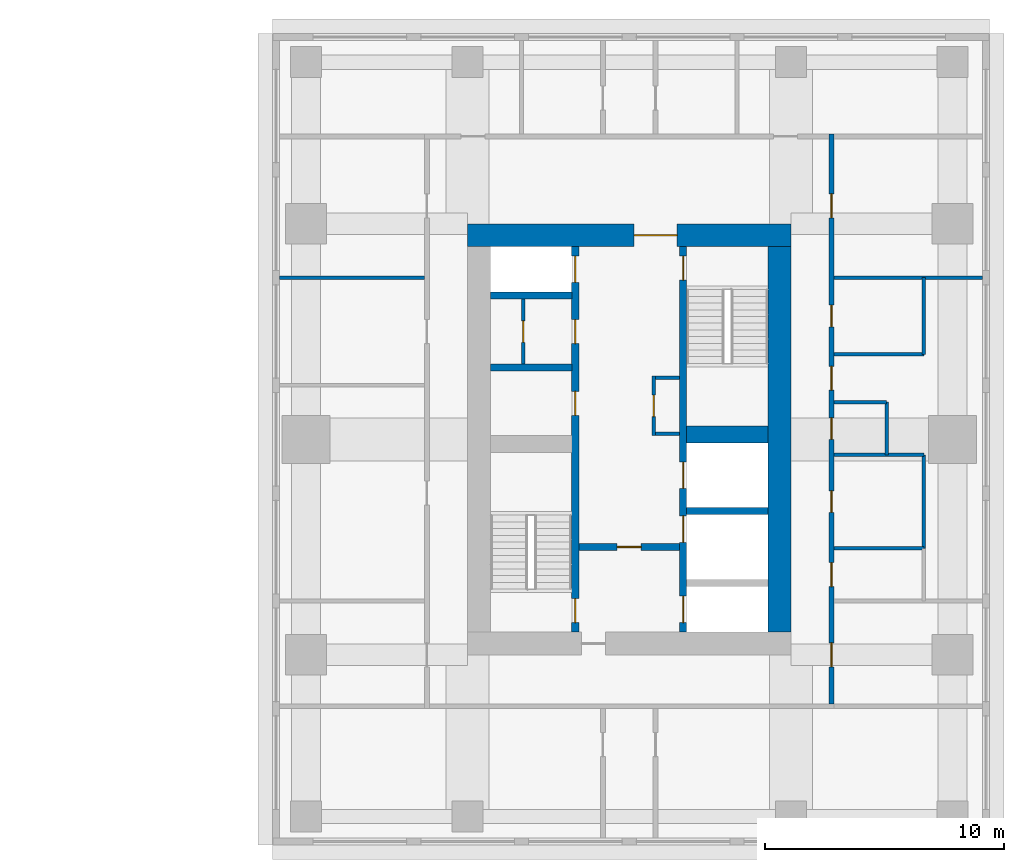
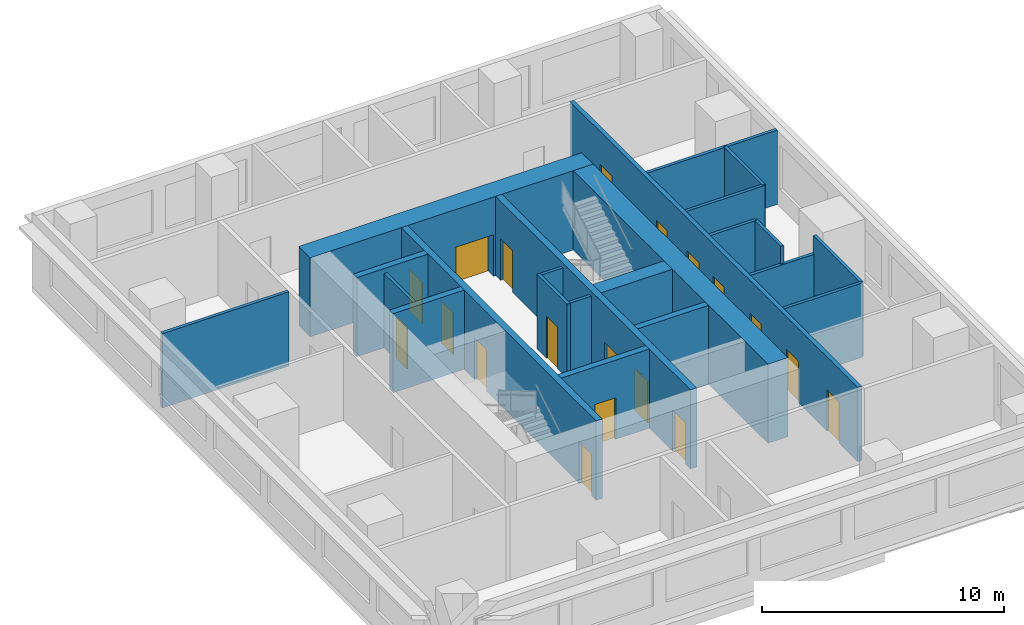
# One storey, part 7 of 11: 23 walls, 19 doors, 19 openings.
"""IFC4 building model written with IfcOpenShell, lengths in metres."""

from ifc_helpers import new_model, si_unit, direction, frame, frame_2d, origin, place, context, subcontext, project, spatial, rectangle, extrude, material, layer, layer_set, type_object, element, fill, save


model = new_model("IFC4")

# Units and contexts
model_context = context("Model", 3, precision=1e-05, world=origin(), true_north=direction((0.0, 1.0)))
body_context = subcontext(model_context, "Body", "Model", "MODEL_VIEW")
ifc_project = project(units=[si_unit("LENGTHUNIT", "METRE"), si_unit("AREAUNIT", "SQUARE_METRE"), si_unit("VOLUMEUNIT", "CUBIC_METRE"), si_unit("PLANEANGLEUNIT", "RADIAN"), si_unit("MASSUNIT", "GRAM", prefix="KILO")], contexts=[model_context])

# Site, building, storey
site_placement = place(None, origin())
site = spatial("IfcSite", under=ifc_project, at=site_placement, CompositionType="ELEMENT")
building_placement = place(site_placement, origin())
building = spatial("IfcBuilding", under=site, at=building_placement, Name="Namib Vertical Campus", CompositionType="ELEMENT")
storey_placement = place(building_placement, frame((0.0, 0.0, 221.0)))
storey = spatial("IfcBuildingStorey", under=building, at=storey_placement, Name="L52", CompositionType="ELEMENT", Elevation=221.0)

# Wall, openings, doors
ifc_material_1 = material(Name="Concrete C60/75", Category="concrete")
ifc_layer_1 = layer(ifc_material_1, 0.300048828125)
ifc_layer_set_1 = layer_set([ifc_layer_1], Name="Concrete C60/75")
wall_type_1 = type_object("IfcWallType", Name="Core inner wall 300", PredefinedType="SHEAR", material=ifc_layer_set_1)
wall_1_placement = place(storey_placement, frame((78.75, 12.199951171875, 0.0), z_axis=(0.0, 0.0, 1.0), x_axis=(0.0, 1.0, 0.0)))
wall_1 = element("IfcWall", 1, at=wall_1_placement, inside=storey, type_object=wall_type_1, Name="Core inner wall B L52 W1", PredefinedType="SHEAR", context=body_context, shape_type="SweptSolid", body=[
    extrude(rectangle(XDim=16.10009765625, YDim=0.300048828125, at=frame_2d((8.050048828125, 0.0))), origin(), (0.0, 0.0, 1.0), 4.0),
])
opening_1_placement = place(wall_1_placement, frame((0.39990234375, 0.0, 0.0)))
opening_1 = element("IfcOpeningElement", 2, at=opening_1_placement, cuts=wall_1, Name="Opening FD1", PredefinedType="OPENING", context=body_context, shape_type="SweptSolid", body=[
    extrude(rectangle(XDim=1.0, YDim=2.10009765625, at=frame_2d((0.5, 1.050048828125))), frame((0.0, 0.159912109375, 0.0), z_axis=(0.0, -1.0, 0.0), x_axis=(1.0, 0.0, 0.0)), (0.0, 0.0, 1.0), 0.320068359375),
])
opening_2_placement = place(wall_1_placement, frame((14.60009765625, 0.0, 0.0)))
opening_2 = element("IfcOpeningElement", 3, at=opening_2_placement, cuts=wall_1, Name="Opening LD1", PredefinedType="OPENING", context=body_context, shape_type="SweptSolid", body=[
    extrude(rectangle(XDim=1.10009765625, YDim=2.10009765625, at=frame_2d((0.550048828125, 1.050048828125))), frame((0.0, 0.159912109375, 0.0), z_axis=(0.0, -1.0, 0.0), x_axis=(1.0, 0.0, 0.0)), (0.0, 0.0, 1.0), 0.320068359375),
])
opening_3_placement = place(wall_1_placement, frame((9.050048828125, 0.0, 0.0)))
opening_3 = element("IfcOpeningElement", 4, at=opening_3_placement, cuts=wall_1, Name="Opening D1", PredefinedType="OPENING", context=body_context, shape_type="SweptSolid", body=[
    extrude(rectangle(XDim=1.0, YDim=2.10009765625, at=frame_2d((0.5, 1.050048828125))), frame((0.0, 0.159912109375, 0.0), z_axis=(0.0, -1.0, 0.0), x_axis=(1.0, 0.0, 0.0)), (0.0, 0.0, 1.0), 0.320068359375),
])
opening_4_placement = place(wall_1_placement, frame((12.050048828125, 0.0, 0.0)))
opening_4 = element("IfcOpeningElement", 5, at=opening_4_placement, cuts=wall_1, Name="Opening D1", PredefinedType="OPENING", context=body_context, shape_type="SweptSolid", body=[
    extrude(rectangle(XDim=1.0, YDim=2.10009765625, at=frame_2d((0.5, 1.050048828125))), frame((0.0, 0.159912109375, 0.0), z_axis=(0.0, -1.0, 0.0), x_axis=(1.0, 0.0, 0.0)), (0.0, 0.0, 1.0), 0.320068359375),
])
ifc_material_2 = material(Name="Timber door leaf", Category="wood")
door_type_1 = type_object("IfcDoorType", Name="Door single 1000x2100", OperationType="SINGLE_SWING_LEFT", PredefinedType="DOOR", material=ifc_material_2)
door_1_placement = place(opening_3_placement, origin())
door_1 = element("IfcDoor", 6, at=door_1_placement, inside=storey, type_object=door_type_1, Name="Door D1 Staff pantry B L52 P1", OperationType="SINGLE_SWING_LEFT", OverallHeight=2.10009765625, OverallWidth=1.0, PredefinedType="DOOR", context=body_context, shape_type="SweptSolid", body=[
    extrude(rectangle(XDim=1.0, YDim=2.10009765625, at=frame_2d((0.5, 1.050048828125))), frame((0.0, 0.02490234375, 0.0), z_axis=(0.0, -1.0, 0.0), x_axis=(1.0, 0.0, 0.0)), (0.0, 0.0, 1.0), 0.050048828125),
])
fill(opening_3, door_1)
door_2_placement = place(opening_4_placement, origin())
door_2 = element("IfcDoor", 7, at=door_2_placement, inside=storey, type_object=door_type_1, Name="Door D1 Records store B L52 P2", OperationType="SINGLE_SWING_LEFT", OverallHeight=2.10009765625, OverallWidth=1.0, PredefinedType="DOOR", context=body_context, shape_type="SweptSolid", body=[
    extrude(rectangle(XDim=1.0, YDim=2.10009765625, at=frame_2d((0.5, 1.050048828125))), frame((0.0, 0.02490234375, 0.0), z_axis=(0.0, -1.0, 0.0), x_axis=(1.0, 0.0, 0.0)), (0.0, 0.0, 1.0), 0.050048828125),
])
fill(opening_4, door_2)
ifc_material_3 = material(Name="Steel fire door", Category="steel")
door_type_2 = type_object("IfcDoorType", Name="Fire door 1000x2100", OperationType="SINGLE_SWING_RIGHT", PredefinedType="DOOR", material=ifc_material_3)
door_3_placement = place(opening_1_placement, origin())
door_3 = element("IfcDoor", 8, at=door_3_placement, inside=storey, type_object=door_type_2, Name="Stair door FD1 B L52 S1", OperationType="SINGLE_SWING_LEFT", OverallHeight=2.10009765625, OverallWidth=1.0, PredefinedType="DOOR", context=body_context, shape_type="SweptSolid", body=[
    extrude(rectangle(XDim=1.0, YDim=2.10009765625, at=frame_2d((0.5, 1.050048828125))), frame((0.0, 0.02490234375, 0.0), z_axis=(0.0, -1.0, 0.0), x_axis=(1.0, 0.0, 0.0)), (0.0, 0.0, 1.0), 0.050048828125),
])
fill(opening_1, door_3)
ifc_material_4 = material(Name="Stainless steel lift door", Category="steel")
door_type_3 = type_object("IfcDoorType", Name="Lift landing door 1100x2100", OperationType="DOUBLE_DOOR_SLIDING", PredefinedType="DOOR", material=ifc_material_4)
door_4_placement = place(opening_2_placement, origin())
door_4 = element("IfcDoor", 9, at=door_4_placement, inside=storey, type_object=door_type_3, Name="Lift landing door LD1 B-P3 L52", OperationType="DOUBLE_DOOR_SLIDING", OverallHeight=2.10009765625, OverallWidth=1.10009765625, PredefinedType="DOOR", context=body_context, shape_type="SweptSolid", body=[
    extrude(rectangle(XDim=1.10009765625, YDim=2.10009765625, at=frame_2d((0.550048828125, 1.050048828125))), frame((0.0, 0.02490234375, 0.0), z_axis=(0.0, -1.0, 0.0), x_axis=(1.0, 0.0, 0.0)), (0.0, 0.0, 1.0), 0.050048828125),
])
fill(opening_2, door_4)

wall_2_placement = place(storey_placement, frame((83.25, 12.199951171875, 0.0), z_axis=(0.0, 0.0, 1.0), x_axis=(0.0, 1.0, 0.0)))
wall_2 = element("IfcWall", 10, at=wall_2_placement, inside=storey, type_object=wall_type_1, Name="Core inner wall B L52 W2", PredefinedType="SHEAR", context=body_context, shape_type="SweptSolid", body=[
    extrude(rectangle(XDim=16.10009765625, YDim=0.300048828125, at=frame_2d((8.050048828125, 0.0))), origin(), (0.0, 0.0, 1.0), 4.0),
])
opening_5_placement = place(wall_2_placement, frame((14.699951171875, 0.0, 0.0)))
opening_5 = element("IfcOpeningElement", 11, at=opening_5_placement, cuts=wall_2, Name="Opening FD1", PredefinedType="OPENING", context=body_context, shape_type="SweptSolid", body=[
    extrude(rectangle(XDim=1.0, YDim=2.10009765625, at=frame_2d((0.5, 1.050048828125))), frame((0.0, 0.159912109375, 0.0), z_axis=(0.0, -1.0, 0.0), x_axis=(1.0, 0.0, 0.0)), (0.0, 0.0, 1.0), 0.320068359375),
])
opening_6_placement = place(wall_2_placement, frame((0.39990234375, 0.0, 0.0)))
opening_6 = element("IfcOpeningElement", 12, at=opening_6_placement, cuts=wall_2, Name="Opening LD1", PredefinedType="OPENING", context=body_context, shape_type="SweptSolid", body=[
    extrude(rectangle(XDim=1.10009765625, YDim=2.10009765625, at=frame_2d((0.550048828125, 1.050048828125))), frame((0.0, 0.159912109375, 0.0), z_axis=(0.0, -1.0, 0.0), x_axis=(1.0, 0.0, 0.0)), (0.0, 0.0, 1.0), 0.320068359375),
])
opening_7_placement = place(wall_2_placement, frame((3.75, 0.0, 0.0)))
opening_7 = element("IfcOpeningElement", 13, at=opening_7_placement, cuts=wall_2, Name="Opening LD1", PredefinedType="OPENING", context=body_context, shape_type="SweptSolid", body=[
    extrude(rectangle(XDim=1.10009765625, YDim=2.10009765625, at=frame_2d((0.550048828125, 1.050048828125))), frame((0.0, 0.159912109375, 0.0), z_axis=(0.0, -1.0, 0.0), x_axis=(1.0, 0.0, 0.0)), (0.0, 0.0, 1.0), 0.320068359375),
])
opening_8_placement = place(wall_2_placement, frame((6.0, 0.0, 0.0)))
opening_8 = element("IfcOpeningElement", 14, at=opening_8_placement, cuts=wall_2, Name="Opening LD1", PredefinedType="OPENING", context=body_context, shape_type="SweptSolid", body=[
    extrude(rectangle(XDim=1.10009765625, YDim=2.10009765625, at=frame_2d((0.550048828125, 1.050048828125))), frame((0.0, 0.159912109375, 0.0), z_axis=(0.0, -1.0, 0.0), x_axis=(1.0, 0.0, 0.0)), (0.0, 0.0, 1.0), 0.320068359375),
])
door_5_placement = place(opening_5_placement, frame((1.0, 0.0, 0.0), z_axis=(0.0, 0.0, 1.0), x_axis=(-1.0, 0.0, 0.0)))
door_5 = element("IfcDoor", 15, at=door_5_placement, inside=storey, type_object=door_type_2, Name="Stair door FD1 B L52 S2", OperationType="SINGLE_SWING_LEFT", OverallHeight=2.10009765625, OverallWidth=1.0, PredefinedType="DOOR", context=body_context, shape_type="SweptSolid", body=[
    extrude(rectangle(XDim=1.0, YDim=2.10009765625, at=frame_2d((0.5, 1.050048828125))), frame((0.0, 0.02490234375, 0.0), z_axis=(0.0, -1.0, 0.0), x_axis=(1.0, 0.0, 0.0)), (0.0, 0.0, 1.0), 0.050048828125),
])
fill(opening_5, door_5)
door_6_placement = place(opening_6_placement, origin())
door_6 = element("IfcDoor", 16, at=door_6_placement, inside=storey, type_object=door_type_3, Name="Lift landing door LD1 B-FL1 L52", OperationType="DOUBLE_DOOR_SLIDING", OverallHeight=2.10009765625, OverallWidth=1.10009765625, PredefinedType="DOOR", context=body_context, shape_type="SweptSolid", body=[
    extrude(rectangle(XDim=1.10009765625, YDim=2.10009765625, at=frame_2d((0.550048828125, 1.050048828125))), frame((0.0, 0.02490234375, 0.0), z_axis=(0.0, -1.0, 0.0), x_axis=(1.0, 0.0, 0.0)), (0.0, 0.0, 1.0), 0.050048828125),
])
fill(opening_6, door_6)
door_7_placement = place(opening_7_placement, origin())
door_7 = element("IfcDoor", 17, at=door_7_placement, inside=storey, type_object=door_type_3, Name="Lift landing door LD1 B-P4 L52", OperationType="DOUBLE_DOOR_SLIDING", OverallHeight=2.10009765625, OverallWidth=1.10009765625, PredefinedType="DOOR", context=body_context, shape_type="SweptSolid", body=[
    extrude(rectangle(XDim=1.10009765625, YDim=2.10009765625, at=frame_2d((0.550048828125, 1.050048828125))), frame((0.0, 0.02490234375, 0.0), z_axis=(0.0, -1.0, 0.0), x_axis=(1.0, 0.0, 0.0)), (0.0, 0.0, 1.0), 0.050048828125),
])
fill(opening_7, door_7)
door_8_placement = place(opening_8_placement, origin())
door_8 = element("IfcDoor", 18, at=door_8_placement, inside=storey, type_object=door_type_3, Name="Lift landing door LD1 B-P5 L52", OperationType="DOUBLE_DOOR_SLIDING", OverallHeight=2.10009765625, OverallWidth=1.10009765625, PredefinedType="DOOR", context=body_context, shape_type="SweptSolid", body=[
    extrude(rectangle(XDim=1.10009765625, YDim=2.10009765625, at=frame_2d((0.550048828125, 1.050048828125))), frame((0.0, 0.02490234375, 0.0), z_axis=(0.0, -1.0, 0.0), x_axis=(1.0, 0.0, 0.0)), (0.0, 0.0, 1.0), 0.050048828125),
])
fill(opening_8, door_8)

# Wall, opening, door
wall_3_placement = place(storey_placement, frame((78.89990234375, 15.75, 0.0), z_axis=(0.0, 0.0, 1.0), x_axis=(1.0, 0.0, 0.0)))
wall_3 = element("IfcWall", 19, at=wall_3_placement, inside=storey, type_object=wall_type_1, Name="Core inner wall B L52 W4", PredefinedType="SHEAR", context=body_context, shape_type="SweptSolid", body=[
    extrude(rectangle(XDim=4.2001953125, YDim=0.300048828125, at=frame_2d((2.10009765625, 0.0))), origin(), (0.0, 0.0, 1.0), 4.0),
])
opening_9_placement = place(wall_3_placement, frame((1.60009765625, 0.0, 0.0)))
opening_9 = element("IfcOpeningElement", 20, at=opening_9_placement, cuts=wall_3, Name="Opening FD5", PredefinedType="OPENING", context=body_context, shape_type="SweptSolid", body=[
    extrude(rectangle(XDim=1.0, YDim=2.10009765625, at=frame_2d((0.5, 1.050048828125))), frame((0.0, 0.159912109375, 0.0), z_axis=(0.0, -1.0, 0.0), x_axis=(1.0, 0.0, 0.0)), (0.0, 0.0, 1.0), 0.320068359375),
])
ifc_material_5 = material(Name="Steel fire door", Category="steel")
door_type_4 = type_object("IfcDoorType", Name="Fire door 1000x2100 120 min", OperationType="SINGLE_SWING_RIGHT", PredefinedType="DOOR", material=ifc_material_5)
door_9_placement = place(opening_9_placement, frame((1.0, 0.0, 0.0), z_axis=(0.0, 0.0, 1.0), x_axis=(-1.0, 0.0, 0.0)))
door_9 = element("IfcDoor", 21, at=door_9_placement, inside=storey, type_object=door_type_4, Name="Lobby door FD5 B L52", OperationType="SINGLE_SWING_RIGHT", OverallHeight=2.10009765625, OverallWidth=1.0, PredefinedType="DOOR", context=body_context, shape_type="SweptSolid", body=[
    extrude(rectangle(XDim=1.0, YDim=2.10009765625, at=frame_2d((0.5, 1.050048828125))), frame((0.0, 0.02490234375, 0.0), z_axis=(0.0, -1.0, 0.0), x_axis=(1.0, 0.0, 0.0)), (0.0, 0.0, 1.0), 0.050048828125),
])
fill(opening_9, door_9)

# Walls
for number, where, z_axis, x_axis, name in (
    (22, (83.39990234375, 17.25, 0.0), (0.0, 0.0, 1.0), (1.0, 0.0, 0.0), "Core inner wall B L52 W6"),
    (23, (75.199951171875, 23.25, 0.0), (0.0, 0.0, 1.0), (1.0, 0.0, 0.0), "Core inner wall B L52 W8"),
    (24, (75.199951171875, 26.25, 0.0), (0.0, 0.0, 1.0), (1.0, 0.0, 0.0), "Core inner wall B L52 W9"),
):
    element("IfcWall", number, at=place(storey_placement, frame(where, z_axis=z_axis, x_axis=x_axis)), inside=storey, type_object=wall_type_1, Name=name, PredefinedType="SHEAR", context=body_context, shape_type="SweptSolid", body=[
        extrude(rectangle(XDim=3.400146484375, YDim=0.300048828125, at=frame_2d((1.7001953125, 0.0))), origin(), (0.0, 0.0, 1.0), 4.0),
    ])
ifc_material_6 = material(Name="Concrete C60/75", Category="concrete")
ifc_layer_2 = layer(ifc_material_6, 0.699951171875)
ifc_layer_set_2 = layer_set([ifc_layer_2], Name="Concrete C60/75")
wall_type_2 = type_object("IfcWallType", Name="Core shear wall 700", PredefinedType="SHEAR", material=ifc_layer_set_2)
wall_4_placement = place(storey_placement, frame((83.39990234375, 20.449951171875, 0.0), z_axis=(0.0, 0.0, 1.0), x_axis=(1.0, 0.0, 0.0)))
element("IfcWall", 25, at=wall_4_placement, inside=storey, type_object=wall_type_2, Name="Core shear wall B L52 W7", PredefinedType="SHEAR", context=body_context, shape_type="SweptSolid", body=[
    extrude(rectangle(XDim=3.400146484375, YDim=0.699951171875, at=frame_2d((1.7001953125, 0.0))), origin(), (0.0, 0.0, 1.0), 4.0),
])
ifc_material_7 = material(Name="Concrete C60/75", Category="concrete")
ifc_layer_3 = layer(ifc_material_7, 0.949951171875)
ifc_layer_set_3 = layer_set([ifc_layer_3], Name="Concrete C60/75")
wall_type_3 = type_object("IfcWallType", Name="Core wall 950", PredefinedType="SHEAR", material=ifc_layer_set_3)
wall_5_placement = place(storey_placement, frame((87.27490234375, 12.199951171875, 0.0), z_axis=(0.0, 0.0, 1.0), x_axis=(0.0, 1.0, 0.0)))
element("IfcWall", 26, at=wall_5_placement, inside=storey, type_object=wall_type_3, Name="Core wall B L52 2", PredefinedType="SHEAR", context=body_context, shape_type="SweptSolid", body=[
    extrude(rectangle(XDim=16.10009765625, YDim=0.949951171875, at=frame_2d((8.050048828125, 0.0))), origin(), (0.0, 0.0, 1.0), 4.0),
])

# Wall, opening, door
wall_6_placement = place(storey_placement, frame((87.75, 28.77490234375, 0.0), z_axis=(0.0, 0.0, 1.0), x_axis=(-1.0, 0.0, 0.0)))
wall_6 = element("IfcWall", 27, at=wall_6_placement, inside=storey, type_object=wall_type_3, Name="Core wall B L52 3", PredefinedType="SHEAR", context=body_context, shape_type="SweptSolid", body=[
    extrude(rectangle(XDim=13.5, YDim=0.949951171875, at=frame_2d((6.75, 0.0))), origin(), (0.0, 0.0, 1.0), 4.0),
])
opening_10_placement = place(wall_6_placement, frame((4.75, 0.0, 0.0)))
opening_10 = element("IfcOpeningElement", 28, at=opening_10_placement, cuts=wall_6, Name="Opening FD2", PredefinedType="OPENING", context=body_context, shape_type="SweptSolid", body=[
    extrude(rectangle(XDim=1.800048828125, YDim=2.10009765625, at=frame_2d((0.89990234375, 1.050048828125))), frame((0.0, 0.48486328125, 0.0), z_axis=(0.0, -1.0, 0.0), x_axis=(1.0, 0.0, 0.0)), (0.0, 0.0, 1.0), 0.969970703125),
])
ifc_material_8 = material(Name="Steel fire door", Category="steel")
door_type_5 = type_object("IfcDoorType", Name="Fire door double 1800x2100", OperationType="DOUBLE_DOOR_SINGLE_SWING", PredefinedType="DOOR", material=ifc_material_8)
door_10_placement = place(opening_10_placement, origin())
door_10 = element("IfcDoor", 29, at=door_10_placement, inside=storey, type_object=door_type_5, Name="Lift lobby door FD2 B L52", OperationType="DOUBLE_DOOR_SINGLE_SWING", OverallHeight=2.10009765625, OverallWidth=1.800048828125, PredefinedType="DOOR", context=body_context, shape_type="SweptSolid", body=[
    extrude(rectangle(XDim=1.800048828125, YDim=2.10009765625, at=frame_2d((0.89990234375, 1.050048828125))), frame((0.0, 0.02490234375, 0.0), z_axis=(0.0, -1.0, 0.0), x_axis=(1.0, 0.0, 0.0)), (0.0, 0.0, 1.0), 0.050048828125),
])
fill(opening_10, door_10)

# Wall, openings, doors
ifc_material_9 = material(Name="Concrete masonry", Category="masonry")
ifc_layer_4 = layer(ifc_material_9, 0.199951171875)
ifc_layer_set_4 = layer_set([ifc_layer_4], Name="Corridor wall 200")
wall_type_4 = type_object("IfcWallType", Name="Corridor wall 200", PredefinedType="SOLIDWALL", material=ifc_layer_set_4)
wall_7_placement = place(storey_placement, frame((89.449951171875, 9.199951171875, 0.0), z_axis=(0.0, 0.0, 1.0), x_axis=(0.0, 1.0, 0.0)))
wall_7 = element("IfcWall", 30, at=wall_7_placement, inside=storey, type_object=wall_type_4, Name="Corridor wall B L52 CE", PredefinedType="SOLIDWALL", context=body_context, shape_type="SweptSolid", body=[
    extrude(rectangle(XDim=23.800048828125, YDim=0.199951171875, at=frame_2d((11.89990234375, 0.0))), origin(), (0.0, 0.0, 1.0), 3.75),
])
opening_11_placement = place(wall_7_placement, frame((1.550048828125, 0.0, 0.0)))
opening_11 = element("IfcOpeningElement", 31, at=opening_11_placement, cuts=wall_7, Name="Opening CD1", PredefinedType="OPENING", context=body_context, shape_type="SweptSolid", body=[
    extrude(rectangle(XDim=1.0, YDim=2.10009765625, at=frame_2d((0.5, 1.050048828125))), frame((0.0, 0.10986328125, 0.0), z_axis=(0.0, -1.0, 0.0), x_axis=(1.0, 0.0, 0.0)), (0.0, 0.0, 1.0), 0.219970703125),
])
opening_12_placement = place(wall_7_placement, frame((4.89990234375, 0.0, 0.0)))
opening_12 = element("IfcOpeningElement", 32, at=opening_12_placement, cuts=wall_7, Name="Opening CD1", PredefinedType="OPENING", context=body_context, shape_type="SweptSolid", body=[
    extrude(rectangle(XDim=1.0, YDim=2.10009765625, at=frame_2d((0.5, 1.050048828125))), frame((0.0, 0.10986328125, 0.0), z_axis=(0.0, -1.0, 0.0), x_axis=(1.0, 0.0, 0.0)), (0.0, 0.0, 1.0), 0.219970703125),
])
opening_13_placement = place(wall_7_placement, frame((8.0, 0.0, 0.0)))
opening_13 = element("IfcOpeningElement", 33, at=opening_13_placement, cuts=wall_7, Name="Opening CD3", PredefinedType="OPENING", context=body_context, shape_type="SweptSolid", body=[
    extrude(rectangle(XDim=0.89990234375, YDim=2.10009765625, at=frame_2d((0.449951171875, 1.050048828125))), frame((0.0, 0.10986328125, 0.0), z_axis=(0.0, -1.0, 0.0), x_axis=(1.0, 0.0, 0.0)), (0.0, 0.0, 1.0), 0.219970703125),
])
opening_14_placement = place(wall_7_placement, frame((11.050048828125, 0.0, 0.0)))
opening_14 = element("IfcOpeningElement", 34, at=opening_14_placement, cuts=wall_7, Name="Opening CD3", PredefinedType="OPENING", context=body_context, shape_type="SweptSolid", body=[
    extrude(rectangle(XDim=0.89990234375, YDim=2.10009765625, at=frame_2d((0.449951171875, 1.050048828125))), frame((0.0, 0.10986328125, 0.0), z_axis=(0.0, -1.0, 0.0), x_axis=(1.0, 0.0, 0.0)), (0.0, 0.0, 1.0), 0.219970703125),
])
opening_15_placement = place(wall_7_placement, frame((15.75, 0.0, 0.0)))
opening_15 = element("IfcOpeningElement", 35, at=opening_15_placement, cuts=wall_7, Name="Opening CD3", PredefinedType="OPENING", context=body_context, shape_type="SweptSolid", body=[
    extrude(rectangle(XDim=0.89990234375, YDim=2.10009765625, at=frame_2d((0.449951171875, 1.050048828125))), frame((0.0, 0.10986328125, 0.0), z_axis=(0.0, -1.0, 0.0), x_axis=(1.0, 0.0, 0.0)), (0.0, 0.0, 1.0), 0.219970703125),
])
opening_16_placement = place(wall_7_placement, frame((13.10009765625, 0.0, 0.0)))
opening_16 = element("IfcOpeningElement", 36, at=opening_16_placement, cuts=wall_7, Name="Opening CD1", PredefinedType="OPENING", context=body_context, shape_type="SweptSolid", body=[
    extrude(rectangle(XDim=1.0, YDim=2.10009765625, at=frame_2d((0.5, 1.050048828125))), frame((0.0, 0.10986328125, 0.0), z_axis=(0.0, -1.0, 0.0), x_axis=(1.0, 0.0, 0.0)), (0.0, 0.0, 1.0), 0.219970703125),
])
opening_17_placement = place(wall_7_placement, frame((20.300048828125, 0.0, 0.0)))
opening_17 = element("IfcOpeningElement", 37, at=opening_17_placement, cuts=wall_7, Name="Opening CD1", PredefinedType="OPENING", context=body_context, shape_type="SweptSolid", body=[
    extrude(rectangle(XDim=1.0, YDim=2.10009765625, at=frame_2d((0.5, 1.050048828125))), frame((0.0, 0.10986328125, 0.0), z_axis=(0.0, -1.0, 0.0), x_axis=(1.0, 0.0, 0.0)), (0.0, 0.0, 1.0), 0.219970703125),
])
ifc_material_10 = material(Name="Timber fire door leaf", Category="wood")
door_type_6 = type_object("IfcDoorType", Name="Corridor door 1000x2100 20 min", OperationType="SINGLE_SWING_LEFT", PredefinedType="DOOR", material=ifc_material_10)
door_11_placement = place(opening_11_placement, frame((1.0, 0.0, 0.0), z_axis=(0.0, 0.0, 1.0), x_axis=(-1.0, 0.0, 0.0)))
door_11 = element("IfcDoor", 38, at=door_11_placement, inside=storey, type_object=door_type_6, Name="Door CD1 B52-03", OperationType="SINGLE_SWING_RIGHT", OverallHeight=2.10009765625, OverallWidth=1.0, PredefinedType="DOOR", context=body_context, shape_type="SweptSolid", body=[
    extrude(rectangle(XDim=1.0, YDim=2.10009765625, at=frame_2d((0.5, 1.050048828125))), frame((0.0, 0.02490234375, 0.0), z_axis=(0.0, -1.0, 0.0), x_axis=(1.0, 0.0, 0.0)), (0.0, 0.0, 1.0), 0.050048828125),
])
fill(opening_11, door_11)
door_12_placement = place(opening_12_placement, frame((1.0, 0.0, 0.0), z_axis=(0.0, 0.0, 1.0), x_axis=(-1.0, 0.0, 0.0)))
door_12 = element("IfcDoor", 39, at=door_12_placement, inside=storey, type_object=door_type_6, Name="Door CD1 B52-04", OperationType="SINGLE_SWING_RIGHT", OverallHeight=2.10009765625, OverallWidth=1.0, PredefinedType="DOOR", context=body_context, shape_type="SweptSolid", body=[
    extrude(rectangle(XDim=1.0, YDim=2.10009765625, at=frame_2d((0.5, 1.050048828125))), frame((0.0, 0.02490234375, 0.0), z_axis=(0.0, -1.0, 0.0), x_axis=(1.0, 0.0, 0.0)), (0.0, 0.0, 1.0), 0.050048828125),
])
fill(opening_12, door_12)
door_13_placement = place(opening_16_placement, frame((1.0, 0.0, 0.0), z_axis=(0.0, 0.0, 1.0), x_axis=(-1.0, 0.0, 0.0)))
door_13 = element("IfcDoor", 40, at=door_13_placement, inside=storey, type_object=door_type_6, Name="Door CD1 B52-08", OperationType="SINGLE_SWING_RIGHT", OverallHeight=2.10009765625, OverallWidth=1.0, PredefinedType="DOOR", context=body_context, shape_type="SweptSolid", body=[
    extrude(rectangle(XDim=1.0, YDim=2.10009765625, at=frame_2d((0.5, 1.050048828125))), frame((0.0, 0.02490234375, 0.0), z_axis=(0.0, -1.0, 0.0), x_axis=(1.0, 0.0, 0.0)), (0.0, 0.0, 1.0), 0.050048828125),
])
fill(opening_16, door_13)
door_14_placement = place(opening_17_placement, frame((1.0, 0.0, 0.0), z_axis=(0.0, 0.0, 1.0), x_axis=(-1.0, 0.0, 0.0)))
door_14 = element("IfcDoor", 41, at=door_14_placement, inside=storey, type_object=door_type_6, Name="Door CD1 B52-09", OperationType="SINGLE_SWING_RIGHT", OverallHeight=2.10009765625, OverallWidth=1.0, PredefinedType="DOOR", context=body_context, shape_type="SweptSolid", body=[
    extrude(rectangle(XDim=1.0, YDim=2.10009765625, at=frame_2d((0.5, 1.050048828125))), frame((0.0, 0.02490234375, 0.0), z_axis=(0.0, -1.0, 0.0), x_axis=(1.0, 0.0, 0.0)), (0.0, 0.0, 1.0), 0.050048828125),
])
fill(opening_17, door_14)
ifc_material_11 = material(Name="Timber fire door leaf", Category="wood")
door_type_7 = type_object("IfcDoorType", Name="Corridor toilet door 900x2100 20 min", OperationType="SINGLE_SWING_LEFT", PredefinedType="DOOR", material=ifc_material_11)
door_15_placement = place(opening_13_placement, frame((0.89990234375, 0.0, 0.0), z_axis=(0.0, 0.0, 1.0), x_axis=(-1.0, 0.0, 0.0)))
door_15 = element("IfcDoor", 42, at=door_15_placement, inside=storey, type_object=door_type_7, Name="Door CD3 B52-05", OperationType="SINGLE_SWING_RIGHT", OverallHeight=2.10009765625, OverallWidth=0.89990234375, PredefinedType="DOOR", context=body_context, shape_type="SweptSolid", body=[
    extrude(rectangle(XDim=0.89990234375, YDim=2.10009765625, at=frame_2d((0.449951171875, 1.050048828125))), frame((0.0, 0.02490234375, 0.0), z_axis=(0.0, -1.0, 0.0), x_axis=(1.0, 0.0, 0.0)), (0.0, 0.0, 1.0), 0.050048828125),
])
fill(opening_13, door_15)
door_16_placement = place(opening_14_placement, frame((0.89990234375, 0.0, 0.0), z_axis=(0.0, 0.0, 1.0), x_axis=(-1.0, 0.0, 0.0)))
door_16 = element("IfcDoor", 43, at=door_16_placement, inside=storey, type_object=door_type_7, Name="Door CD3 B52-06", OperationType="SINGLE_SWING_RIGHT", OverallHeight=2.10009765625, OverallWidth=0.89990234375, PredefinedType="DOOR", context=body_context, shape_type="SweptSolid", body=[
    extrude(rectangle(XDim=0.89990234375, YDim=2.10009765625, at=frame_2d((0.449951171875, 1.050048828125))), frame((0.0, 0.02490234375, 0.0), z_axis=(0.0, -1.0, 0.0), x_axis=(1.0, 0.0, 0.0)), (0.0, 0.0, 1.0), 0.050048828125),
])
fill(opening_14, door_16)
door_17_placement = place(opening_15_placement, frame((0.89990234375, 0.0, 0.0), z_axis=(0.0, 0.0, 1.0), x_axis=(-1.0, 0.0, 0.0)))
door_17 = element("IfcDoor", 44, at=door_17_placement, inside=storey, type_object=door_type_7, Name="Door CD3 B52-07", OperationType="SINGLE_SWING_RIGHT", OverallHeight=2.10009765625, OverallWidth=0.89990234375, PredefinedType="DOOR", context=body_context, shape_type="SweptSolid", body=[
    extrude(rectangle(XDim=0.89990234375, YDim=2.10009765625, at=frame_2d((0.449951171875, 1.050048828125))), frame((0.0, 0.02490234375, 0.0), z_axis=(0.0, -1.0, 0.0), x_axis=(1.0, 0.0, 0.0)), (0.0, 0.0, 1.0), 0.050048828125),
])
fill(opening_15, door_17)

# Wall, opening, door
ifc_material_12 = material(Name="Gypsum board on steel studs", Category="steel")
ifc_layer_5 = layer(ifc_material_12, 0.14990234375)
ifc_layer_set_5 = layer_set([ifc_layer_5], Name="Gypsum board on steel studs")
wall_type_5 = type_object("IfcWallType", Name="Partition 150", PredefinedType="PARTITIONING", material=ifc_layer_set_5)
wall_8_placement = place(storey_placement, frame((82.02490234375, 20.39990234375, 0.0), z_axis=(0.0, 0.0, 1.0), x_axis=(0.0, 1.0, 0.0)))
wall_8 = element("IfcWall", 45, at=wall_8_placement, inside=storey, type_object=wall_type_5, Name="Partition B L52 Cleaners' store front", PredefinedType="PARTITIONING", context=body_context, shape_type="SweptSolid", body=[
    extrude(rectangle(XDim=2.5, YDim=0.14990234375, at=frame_2d((1.25, 0.0))), origin(), (0.0, 0.0, 1.0), 3.75),
])
opening_18_placement = place(wall_8_placement, frame((0.800048828125, 0.0, 0.0)))
opening_18 = element("IfcOpeningElement", 46, at=opening_18_placement, cuts=wall_8, Name="Opening D3", PredefinedType="OPENING", context=body_context, shape_type="SweptSolid", body=[
    extrude(rectangle(XDim=0.89990234375, YDim=2.10009765625, at=frame_2d((0.449951171875, 1.050048828125))), frame((0.0, 0.0849609375, 0.0), z_axis=(0.0, -1.0, 0.0), x_axis=(1.0, 0.0, 0.0)), (0.0, 0.0, 1.0), 0.169921875),
])
ifc_material_13 = material(Name="Timber door leaf", Category="wood")
door_type_8 = type_object("IfcDoorType", Name="Toilet door 900x2100", OperationType="SINGLE_SWING_LEFT", PredefinedType="DOOR", material=ifc_material_13)
door_18_placement = place(opening_18_placement, frame((0.89990234375, 0.0, 0.0), z_axis=(0.0, 0.0, 1.0), x_axis=(-1.0, 0.0, 0.0)))
door_18 = element("IfcDoor", 47, at=door_18_placement, inside=storey, type_object=door_type_8, Name="Door D3 Cleaners' store B L52", OperationType="SINGLE_SWING_RIGHT", OverallHeight=2.10009765625, OverallWidth=0.89990234375, PredefinedType="DOOR", context=body_context, shape_type="SweptSolid", body=[
    extrude(rectangle(XDim=0.89990234375, YDim=2.10009765625, at=frame_2d((0.449951171875, 1.050048828125))), frame((0.0, 0.02490234375, 0.0), z_axis=(0.0, -1.0, 0.0), x_axis=(1.0, 0.0, 0.0)), (0.0, 0.0, 1.0), 0.050048828125),
])
fill(opening_18, door_18)

# Walls
for number, where, z_axis, x_axis, name in (
    (48, (82.10009765625, 20.47509765625, 0.0), (0.0, 0.0, 1.0), (1.0, 0.0, 0.0), "Partition B L52 Cleaners' store end 1"),
    (49, (82.10009765625, 22.824951171875, 0.0), (0.0, 0.0, 1.0), (1.0, 0.0, 0.0), "Partition B L52 Cleaners' store end 2"),
):
    element("IfcWall", number, at=place(storey_placement, frame(where, z_axis=z_axis, x_axis=x_axis)), inside=storey, type_object=wall_type_5, Name=name, PredefinedType="PARTITIONING", context=body_context, shape_type="SweptSolid", body=[
        extrude(rectangle(XDim=1.0, YDim=0.14990234375, at=frame_2d((0.5, 0.0))), origin(), (0.0, 0.0, 1.0), 3.75),
    ])

# Wall, opening, door
wall_9_placement = place(storey_placement, frame((76.574951171875, 23.39990234375, 0.0), z_axis=(0.0, 0.0, 1.0), x_axis=(0.0, 1.0, 0.0)))
wall_9 = element("IfcWall", 50, at=wall_9_placement, inside=storey, type_object=wall_type_5, Name="Partition B L52 Records store P2 back", PredefinedType="PARTITIONING", context=body_context, shape_type="SweptSolid", body=[
    extrude(rectangle(XDim=2.7001953125, YDim=0.14990234375, at=frame_2d((1.35009765625, 0.0))), origin(), (0.0, 0.0, 1.0), 3.75),
])
opening_19_placement = place(wall_9_placement, frame((0.89990234375, 0.0, 0.0)))
opening_19 = element("IfcOpeningElement", 51, at=opening_19_placement, cuts=wall_9, Name="Opening D3", PredefinedType="OPENING", context=body_context, shape_type="SweptSolid", body=[
    extrude(rectangle(XDim=0.89990234375, YDim=2.10009765625, at=frame_2d((0.449951171875, 1.050048828125))), frame((0.0, 0.0849609375, 0.0), z_axis=(0.0, -1.0, 0.0), x_axis=(1.0, 0.0, 0.0)), (0.0, 0.0, 1.0), 0.169921875),
])
door_19_placement = place(opening_19_placement, origin())
door_19 = element("IfcDoor", 52, at=door_19_placement, inside=storey, type_object=door_type_8, Name="Door D3 Store B L52 P2", OperationType="SINGLE_SWING_LEFT", OverallHeight=2.10009765625, OverallWidth=0.89990234375, PredefinedType="DOOR", context=body_context, shape_type="SweptSolid", body=[
    extrude(rectangle(XDim=0.89990234375, YDim=2.10009765625, at=frame_2d((0.449951171875, 1.050048828125))), frame((0.0, 0.02490234375, 0.0), z_axis=(0.0, -1.0, 0.0), x_axis=(1.0, 0.0, 0.0)), (0.0, 0.0, 1.0), 0.050048828125),
])
fill(opening_19, door_19)

# Walls
wall_10_placement = place(storey_placement, frame((89.550048828125, 27.0, 0.0), z_axis=(0.0, 0.0, 1.0), x_axis=(1.0, 0.0, 0.0)))
element("IfcWall", 53, at=wall_10_placement, inside=storey, type_object=wall_type_5, Name="Partition B L52 PE2", PredefinedType="PARTITIONING", context=body_context, shape_type="SweptSolid", body=[
    extrude(rectangle(XDim=6.199951171875, YDim=0.14990234375, at=frame_2d((3.10009765625, 0.0))), origin(), (0.0, 0.0, 1.0), 3.75),
])
wall_11_placement = place(storey_placement, frame((66.39990234375, 27.0, 0.0), z_axis=(0.0, 0.0, 1.0), x_axis=(1.0, 0.0, 0.0)))
element("IfcWall", 54, at=wall_11_placement, inside=storey, type_object=wall_type_5, Name="Partition B L52 PW3", PredefinedType="PARTITIONING", context=body_context, shape_type="SweptSolid", body=[
    extrude(rectangle(XDim=6.050048828125, YDim=0.14990234375, at=frame_2d((3.02490234375, 0.0))), origin(), (0.0, 0.0, 1.0), 3.75),
])
wall_12_placement = place(storey_placement, frame((89.550048828125, 15.699951171875, 0.0), z_axis=(0.0, 0.0, 1.0), x_axis=(1.0, 0.0, 0.0)))
element("IfcWall", 55, at=wall_12_placement, inside=storey, type_object=wall_type_5, Name="Partition B L52 WR1", PredefinedType="PARTITIONING", context=body_context, shape_type="SweptSolid", body=[
    extrude(rectangle(XDim=3.75, YDim=0.14990234375, at=frame_2d((1.875, 0.0))), origin(), (0.0, 0.0, 1.0), 3.75),
])
wall_13_placement = place(storey_placement, frame((89.550048828125, 19.60009765625, 0.0), z_axis=(0.0, 0.0, 1.0), x_axis=(1.0, 0.0, 0.0)))
element("IfcWall", 56, at=wall_13_placement, inside=storey, type_object=wall_type_5, Name="Partition B L52 WR2", PredefinedType="PARTITIONING", context=body_context, shape_type="SweptSolid", body=[
    extrude(rectangle(XDim=3.75, YDim=0.14990234375, at=frame_2d((1.875, 0.0))), origin(), (0.0, 0.0, 1.0), 2.85009765625),
])
wall_14_placement = place(storey_placement, frame((89.550048828125, 21.800048828125, 0.0), z_axis=(0.0, 0.0, 1.0), x_axis=(1.0, 0.0, 0.0)))
element("IfcWall", 57, at=wall_14_placement, inside=storey, type_object=wall_type_5, Name="Partition B L52 WR3", PredefinedType="PARTITIONING", context=body_context, shape_type="SweptSolid", body=[
    extrude(rectangle(XDim=2.199951171875, YDim=0.14990234375, at=frame_2d((1.10009765625, 0.0))), origin(), (0.0, 0.0, 1.0), 3.75),
])
wall_15_placement = place(storey_placement, frame((89.550048828125, 23.800048828125, 0.0), z_axis=(0.0, 0.0, 1.0), x_axis=(1.0, 0.0, 0.0)))
element("IfcWall", 58, at=wall_15_placement, inside=storey, type_object=wall_type_5, Name="Partition B L52 WR4", PredefinedType="PARTITIONING", context=body_context, shape_type="SweptSolid", body=[
    extrude(rectangle(XDim=3.75, YDim=0.14990234375, at=frame_2d((1.875, 0.0))), origin(), (0.0, 0.0, 1.0), 3.75),
])
wall_16_placement = place(storey_placement, frame((93.300048828125, 15.699951171875, 0.0), z_axis=(0.0, 0.0, 1.0), x_axis=(0.0, 1.0, 0.0)))
element("IfcWall", 59, at=wall_16_placement, inside=storey, type_object=wall_type_5, Name="Partition B L52 WB2", PredefinedType="PARTITIONING", context=body_context, shape_type="SweptSolid", body=[
    extrude(rectangle(XDim=3.900146484375, YDim=0.14990234375, at=frame_2d((1.9501953125, 0.0))), origin(), (0.0, 0.0, 1.0), 3.75),
])
wall_17_placement = place(storey_placement, frame((91.75, 19.60009765625, 0.0), z_axis=(0.0, 0.0, 1.0), x_axis=(0.0, 1.0, 0.0)))
element("IfcWall", 60, at=wall_17_placement, inside=storey, type_object=wall_type_5, Name="Partition B L52 WB3", PredefinedType="PARTITIONING", context=body_context, shape_type="SweptSolid", body=[
    extrude(rectangle(XDim=2.199951171875, YDim=0.14990234375, at=frame_2d((1.10009765625, 0.0))), origin(), (0.0, 0.0, 1.0), 3.75),
])
wall_18_placement = place(storey_placement, frame((93.300048828125, 23.800048828125, 0.0), z_axis=(0.0, 0.0, 1.0), x_axis=(0.0, 1.0, 0.0)))
element("IfcWall", 61, at=wall_18_placement, inside=storey, type_object=wall_type_5, Name="Partition B L52 WB4", PredefinedType="PARTITIONING", context=body_context, shape_type="SweptSolid", body=[
    extrude(rectangle(XDim=3.199951171875, YDim=0.14990234375, at=frame_2d((1.60009765625, 0.0))), origin(), (0.0, 0.0, 1.0), 3.75),
])

save(model, "model.ifc")
